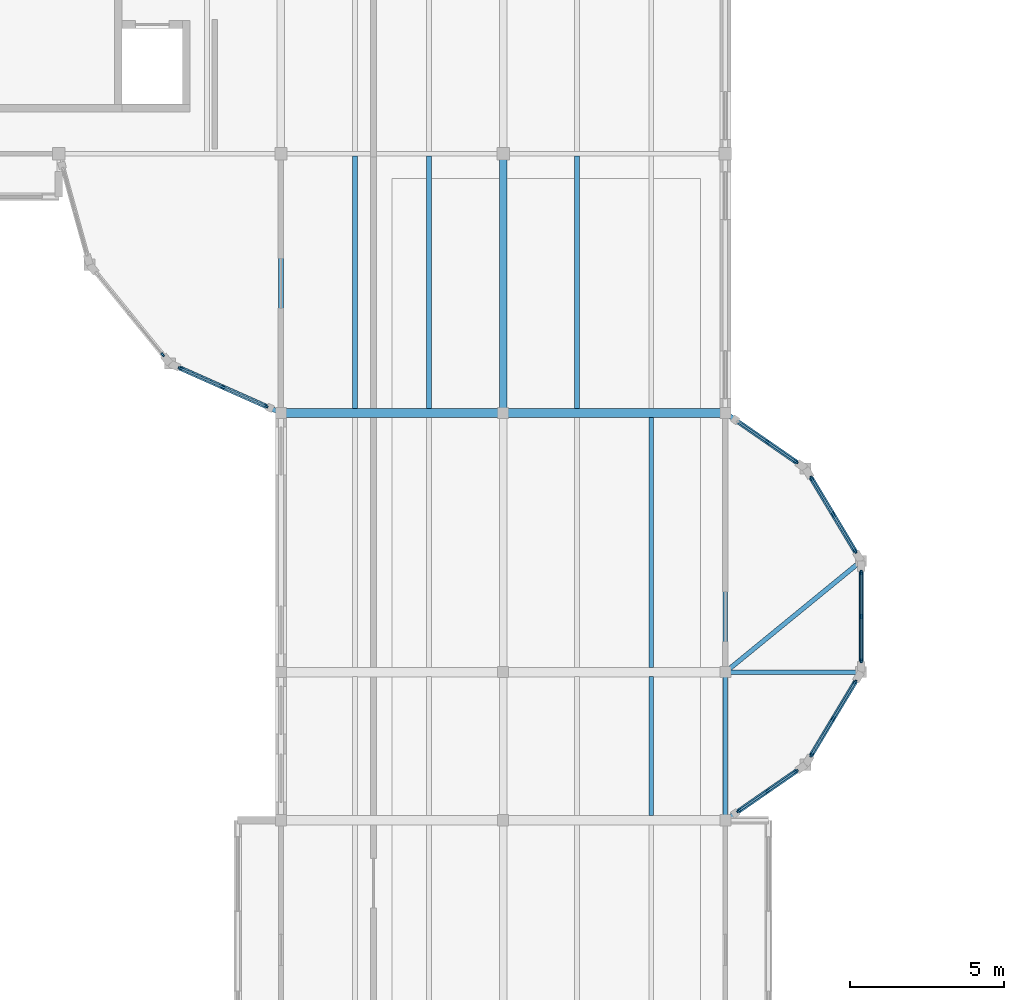
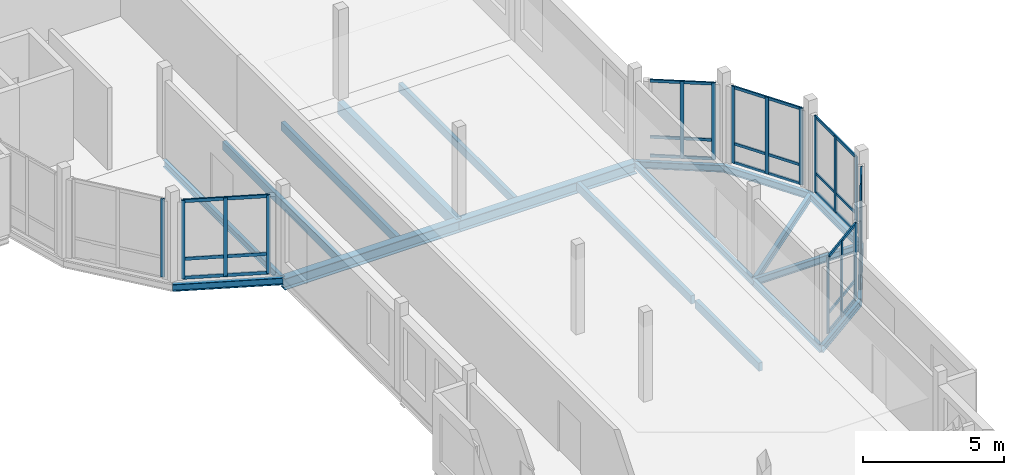
# One storey, part 17 of 34: 36 members, 19 beams, 7 elements without a shape of their own.
"""IFC4 building model written with IfcOpenShell, lengths in metres."""

import ifcopenshell
import ifcopenshell.guid

model = None  # the IFC model being written
_history = None  # IfcOwnerHistory: only IFC2X3 demands one
_inside = {}  # id of a spatial element -> (the spatial element, [elements in it])
_under = {}  # id of a project, library or spatial element -> (it, [spatial elements below it])
_declared = {}  # id of a project -> (the project, [libraries it declares])
_typed = {}  # id of a type object -> (the type object, [elements of that type])
_made_of = {}  # id of a material, layer set ... -> (it, [elements and type objects made of it])


def new_model(schema):
    """Start an empty IFC model of exactly this schema.

    Asked for "IFC4X3", IfcOpenShell would pick the latest addendum, in which some entities
    have other attributes; the version numbers below select the first issue.
    IFC2X3 requires an IfcOwnerHistory on every rooted entity: one is made here for all.
    """
    global model, _history
    if schema == "IFC4X3":
        model = ifcopenshell.file(schema_version=(4, 3, 0, 0))
    else:
        model = ifcopenshell.file(schema=schema)
    _inside.clear()
    _under.clear()
    _declared.clear()
    _typed.clear()
    _made_of.clear()
    _history = None
    if model.schema == "IFC2X3":
        org = make("IfcOrganization", Name="unknown")
        user = make(
            "IfcPersonAndOrganization",
            ThePerson=make("IfcPerson", FamilyName="unknown"),
            TheOrganization=org,
        )
        app = make(
            "IfcApplication",
            ApplicationDeveloper=org,
            Version="unknown",
            ApplicationFullName="unknown",
            ApplicationIdentifier="unknown",
        )
        _history = make(
            "IfcOwnerHistory",
            OwningUser=user,
            OwningApplication=app,
            ChangeAction="ADDED",
            CreationDate=0,
        )
    return model


def make(cls, **values):
    """One entity of the class cls with the attributes given. An attribute that is None is left unset."""
    return model.create_entity(
        cls, **{name: value for name, value in values.items() if value is not None}
    )


def rooted(cls, **values):
    """An entity with a GlobalId (a new one), such as an element, a storey or a relation."""
    return make(cls, GlobalId=ifcopenshell.guid.new(), OwnerHistory=_history, **values)


def si_unit(unit_type, name, prefix=None):
    """IfcSIUnit, for example si_unit("LENGTHUNIT", "METRE", prefix="MILLI")."""
    return make("IfcSIUnit", UnitType=unit_type, Prefix=prefix, Name=name)


def assignment(units):
    """IfcUnitAssignment: the units of a project."""
    return None if units is None else make("IfcUnitAssignment", Units=units)


def point(xyz):
    """IfcCartesianPoint."""
    return None if xyz is None else make("IfcCartesianPoint", Coordinates=xyz)


def direction(xyz):
    """IfcDirection."""
    return None if xyz is None else make("IfcDirection", DirectionRatios=xyz)


def frame(location, z_axis=None, x_axis=None):
    """IfcAxis2Placement3D, a coordinate frame: its origin and axes. An axis left out is left unset."""
    return make(
        "IfcAxis2Placement3D",
        Location=point(location),
        Axis=direction(z_axis),
        RefDirection=direction(x_axis),
    )


def frame_2d(location, x_axis=None):
    """IfcAxis2Placement2D, a coordinate frame in the plane: its origin and x axis."""
    return make(
        "IfcAxis2Placement2D", Location=point(location), RefDirection=direction(x_axis)
    )


def origin():
    """The frame at (0, 0, 0) with its axes left unset."""
    return frame((0.0, 0.0, 0.0))


def origin_2d():
    """The frame at (0, 0) in the plane with its x axis left unset."""
    return frame_2d((0.0, 0.0))


def place(relative_to, where):
    """IfcLocalPlacement: puts the frame where relative to a parent placement (None: the world)."""
    return make(
        "IfcLocalPlacement", PlacementRelTo=relative_to, RelativePlacement=where
    )


def context(
    kind, dimensions, precision=None, world=None, true_north=None, identifier=None
):
    """IfcGeometricRepresentationContext, for example the 3D "Model" context."""
    return make(
        "IfcGeometricRepresentationContext",
        ContextIdentifier=identifier,
        ContextType=kind,
        CoordinateSpaceDimension=dimensions,
        Precision=precision,
        WorldCoordinateSystem=world,
        TrueNorth=true_north,
    )


def subcontext(parent, identifier, kind, view, scale=None):
    """IfcGeometricRepresentationSubContext, for example "Body" below "Model"."""
    return make(
        "IfcGeometricRepresentationSubContext",
        ContextIdentifier=identifier,
        ContextType=kind,
        ParentContext=parent,
        TargetScale=scale,
        TargetView=view,
    )


def project(units=None, contexts=None):
    """IfcProject with its units and contexts."""
    return rooted(
        "IfcProject",
        Name="project",
        RepresentationContexts=contexts,
        UnitsInContext=assignment(units),
    )


def spatial(cls, under=None, at=None, **own):
    """A site, building, storey or space (cls), placed at a placement, below another one or the project."""
    s = rooted(cls, ObjectPlacement=at, **own)
    if under is not None:
        _under.setdefault(under.id(), (under, []))[1].append(s)
    return s


def profile(cls, at=None, kind="AREA", **sizes):
    """A parametric profile (cls). Its sizes go by their IFC names, for example OverallWidth=200.0."""
    return make(cls, ProfileType=kind, Position=at, **sizes)


def rectangle(**sizes):
    """IfcRectangleProfileDef."""
    return profile("IfcRectangleProfileDef", **sizes)


def i_section(**sizes):
    """IfcIShapeProfileDef."""
    return profile("IfcIShapeProfileDef", **sizes)


def extrude(swept, where, along, depth):
    """IfcExtrudedAreaSolid: the profile swept, set in the frame where, extruded along a direction by depth."""
    return make(
        "IfcExtrudedAreaSolid",
        SweptArea=swept,
        Position=where,
        ExtrudedDirection=direction(along),
        Depth=depth,
    )


def shape(context_of_items, identifier, shape_type, items):
    """IfcShapeRepresentation: the items that make up one representation, for example the "Body"."""
    return make(
        "IfcShapeRepresentation",
        ContextOfItems=context_of_items,
        RepresentationIdentifier=identifier,
        RepresentationType=shape_type,
        Items=items,
    )


def material(Name=None, Category=None):
    """IfcMaterial."""
    return make("IfcMaterial", Name=Name, Category=Category)


def material_profile(
    of_material, cross_section, Name=None, Category=None, Priority=None
):
    """IfcMaterialProfile: a cross section and its material."""
    return make(
        "IfcMaterialProfile",
        Name=Name,
        Material=of_material,
        Profile=cross_section,
        Priority=Priority,
        Category=Category,
    )


def profile_set(profiles, Name=None, composite=None):
    """IfcMaterialProfileSet."""
    return make(
        "IfcMaterialProfileSet",
        Name=Name,
        MaterialProfiles=profiles,
        CompositeProfile=composite,
    )


def made_of(thing, what):
    """Note that an element or type object is made of a material, layer set ...; save() writes the relation."""
    if what is not None:
        _made_of.setdefault(what.id(), (what, []))[1].append(thing)
    return thing


def type_object(cls, material=None, **own):
    """A type object (cls), such as IfcWallType, which elements share."""
    return made_of(rooted(cls, **own), material)


def element(
    cls,
    number,
    at=None,
    inside=None,
    cuts=None,
    type_object=None,
    material=None,
    context=None,
    identifier="Body",
    shape_type=None,
    held_by="IfcProductDefinitionShape",
    body=None,
    shapes=None,
    **own,
):
    """One element of the class cls, such as IfcWall. Its Tag is "e" and its number.

    at: its placement. inside: the storey or other place that contains it. cuts: it is an
    opening in that element (IfcRelVoidsElement). A single representation is given by context,
    identifier, shape_type and body (its items); several are given by shapes. held_by: the class
    of the entity that holds the representations. save() writes the other relations.
    """
    e = rooted(cls, Tag="e%d" % number, ObjectPlacement=at, **own)
    if body is not None:
        shapes = [shape(context, identifier, shape_type, body)]
    if shapes is not None:
        e.Representation = make(held_by, Representations=shapes)
    if inside is not None:
        _inside.setdefault(inside.id(), (inside, []))[1].append(e)
    if cuts is not None:
        rooted(
            "IfcRelVoidsElement", RelatingBuildingElement=cuts, RelatedOpeningElement=e
        )
    if type_object is not None:
        _typed.setdefault(type_object.id(), (type_object, []))[1].append(e)
    return made_of(e, material)


def aggregate(whole, parts):
    """IfcRelAggregates: a whole, such as a stair, and the parts it consists of."""
    return rooted("IfcRelAggregates", RelatingObject=whole, RelatedObjects=parts)


def save(model, path):
    """Write the relations noted so far, then the file.

    IfcRelAggregates (storeys below a building ...), IfcRelContainedInSpatialStructure (elements
    in a storey), IfcRelDefinesByType, IfcRelAssociatesMaterial and IfcRelDeclares: one each for
    every whole, place, type object, material and project.
    """
    for whole, parts in _under.values():
        aggregate(whole, parts)
    for where, things in _inside.values():
        rooted(
            "IfcRelContainedInSpatialStructure",
            RelatedElements=things,
            RelatingStructure=where,
        )
    for kind, things in _typed.values():
        rooted("IfcRelDefinesByType", RelatedObjects=things, RelatingType=kind)
    for what, things in _made_of.values():
        rooted("IfcRelAssociatesMaterial", RelatedObjects=things, RelatingMaterial=what)
    for by, libraries in _declared.values():
        rooted("IfcRelDeclares", RelatingContext=by, RelatedDefinitions=libraries)
    model.write(path)


model = new_model("IFC4")

# Units and contexts
model_context = context("Model", 3, precision=1e-05, world=origin(), true_north=direction((0.0, 1.0)))
body_context = subcontext(model_context, "Body", "Model", "MODEL_VIEW")
ifc_project = project(units=[si_unit("LENGTHUNIT", "METRE"), si_unit("AREAUNIT", "SQUARE_METRE"), si_unit("VOLUMEUNIT", "CUBIC_METRE"), si_unit("PLANEANGLEUNIT", "RADIAN"), si_unit("MASSUNIT", "GRAM", prefix="KILO")], contexts=[model_context])

# Site, building, storey
site_placement = place(None, origin())
site = spatial("IfcSite", under=ifc_project, at=site_placement, CompositionType="ELEMENT")
building_placement = place(site_placement, origin())
building = spatial("IfcBuilding", under=site, at=building_placement, Name="Kahlenmark Community Centre", CompositionType="ELEMENT")
storey_placement = place(building_placement, frame((0.0, 0.0, 17.699951171875)))
storey = spatial("IfcBuildingStorey", under=building, at=storey_placement, Name="L04", CompositionType="ELEMENT", Elevation=17.699951171875)

# Beams
ifc_material_1 = material(Name="Glulam GL32h", Category="wood")
ifc_material_profile_1 = material_profile(ifc_material_1, rectangle(XDim=0.239990234375, YDim=0.52001953125, at=origin_2d()), Name="GL32h 240x520")
ifc_profile_set_1 = profile_set([ifc_material_profile_1], Name="Glulam GL32h")
beam_type_1 = type_object("IfcBeamType", Name="BT-BEAM-GL32h240x520", PredefinedType="BEAM", material=ifc_profile_set_1)
beam_1_placement = place(storey_placement, frame((79.60009765625, 89.199951171875, -0.4599609375), z_axis=(0.0, 1.0, 0.0), x_axis=(-1.0, 0.0, 0.0)))
element("IfcBeam", 1, at=beam_1_placement, inside=storey, type_object=beam_type_1, Name="L04 beam BG-GL32h240x520", PredefinedType="BEAM", context=body_context, shape_type="SweptSolid", body=[
    extrude(rectangle(XDim=0.239990234375, YDim=0.52001953125, at=origin_2d()), origin(), (0.0, 0.0, 1.0), 8.400146484375),
])
ifc_material_2 = material(Name="Steel S355", Category="steel")
ifc_material_profile_2 = material_profile(ifc_material_2, i_section(OverallWidth=0.300048828125, OverallDepth=0.489990234375, WebThickness=0.011962890625, FlangeThickness=0.02294921875, at=origin_2d()), Name="HEA 500")
ifc_profile_set_2 = profile_set([ifc_material_profile_2], Name="Steel S355")
beam_type_2 = type_object("IfcBeamType", Name="BT-BEAM-HEA500", PredefinedType="BEAM", material=ifc_profile_set_2)
beam_2_placement = place(storey_placement, frame((72.39990234375, 89.199951171875, -0.445068359375), z_axis=(1.0, 0.0, 0.0), x_axis=(0.0, 1.0, 0.0)))
element("IfcBeam", 2, at=beam_2_placement, inside=storey, type_object=beam_type_2, Name="L04 beam BG-HEA500", PredefinedType="BEAM", context=body_context, shape_type="SweptSolid", body=[
    extrude(i_section(OverallWidth=0.300048828125, OverallDepth=0.489990234375, WebThickness=0.011962890625, FlangeThickness=0.02294921875, at=origin_2d()), origin(), (0.0, 0.0, 1.0), 7.2001953125),
])
beam_3_placement = place(storey_placement, frame((79.60009765625, 89.199951171875, -0.445068359375), z_axis=(1.0, 0.0, 0.0), x_axis=(0.0, 1.0, 0.0)))
element("IfcBeam", 3, at=beam_3_placement, inside=storey, type_object=beam_type_2, Name="L04 beam BG-HEA500", PredefinedType="BEAM", context=body_context, shape_type="SweptSolid", body=[
    extrude(i_section(OverallWidth=0.300048828125, OverallDepth=0.489990234375, WebThickness=0.011962890625, FlangeThickness=0.02294921875, at=origin_2d()), origin(), (0.0, 0.0, 1.0), 7.199951171875),
])
ifc_material_profile_3 = material_profile(ifc_material_2, i_section(OverallWidth=0.14990234375, OverallDepth=0.300048828125, WebThickness=0.007080078125, FlangeThickness=0.0107421875, at=origin_2d()), Name="IPE 300")
ifc_profile_set_3 = profile_set([ifc_material_profile_3], Name="Steel S355")
beam_type_3 = type_object("IfcBeamType", Name="BT-BEAM-IPE300", PredefinedType="BEAM", material=ifc_profile_set_3)
beam_4_placement = place(storey_placement, frame((91.199951171875, 80.800048828125, -0.349853515625), z_axis=(-1.0, 0.0, 0.0), x_axis=(0.0, -1.0, 0.0)))
element("IfcBeam", 4, at=beam_4_placement, inside=storey, type_object=beam_type_3, Name="L04 beam BG-IPE300", PredefinedType="BEAM", context=body_context, shape_type="SweptSolid", body=[
    extrude(i_section(OverallWidth=0.14990234375, OverallDepth=0.300048828125, WebThickness=0.007080078125, FlangeThickness=0.0107421875, at=origin_2d()), origin(), (0.0, 0.0, 1.0), 4.39990234375),
])
beam_5_placement = place(storey_placement, frame((91.199951171875, 84.39990234375, -0.349853515625), z_axis=(-0.773963039406, -0.633230774389, 0.0), x_axis=(0.633230774389, -0.773963039406, 0.0)))
element("IfcBeam", 5, at=beam_5_placement, inside=storey, type_object=beam_type_3, Name="L04 beam BG-IPE300", PredefinedType="BEAM", context=body_context, shape_type="SweptSolid", body=[
    extrude(i_section(OverallWidth=0.14990234375, OverallDepth=0.300048828125, WebThickness=0.007080078125, FlangeThickness=0.0107421875, at=origin_2d()), origin(), (0.0, 0.0, 1.0), 5.684814453125),
])
ifc_material_3 = material(Name="Glulam GL28h", Category="wood")
ifc_material_profile_4 = material_profile(ifc_material_3, rectangle(XDim=0.159912109375, YDim=0.360107421875, at=origin_2d()), Name="GL28h 160x360")
ifc_profile_set_4 = profile_set([ifc_material_profile_4], Name="Glulam GL28h")
beam_type_4 = type_object("IfcBeamType", Name="BT-JOIST-GL28h160x360", PredefinedType="JOIST", material=ifc_profile_set_4)
for number, where, z_axis, x_axis, name in (
    (6, (74.800048828125, 89.347900390625, -0.3798828125), (0.0, 1.0, 0.0), (-1.0, 0.0, 0.0), "L04 joist BJ-GL28h160x360"),
    (7, (77.199951171875, 89.347900390625, -0.3798828125), (0.0, 1.0, 0.0), (-1.0, 0.0, 0.0), "L04 joist BJ-GL28h160x360"),
):
    element("IfcBeam", number, at=place(storey_placement, frame(where, z_axis=z_axis, x_axis=x_axis)), inside=storey, type_object=beam_type_4, Name=name, PredefinedType="JOIST", context=body_context, shape_type="SweptSolid", body=[
        extrude(rectangle(XDim=0.159912109375, YDim=0.360107421875, at=origin_2d()), origin(), (0.0, 0.0, 1.0), 8.17919921875),
    ])
beam_6_placement = place(storey_placement, frame((84.39990234375, 76.14794921875, -0.3798828125), z_axis=(0.0, 1.0, 0.0), x_axis=(-1.0, 0.0, 0.0)))
element("IfcBeam", 8, at=beam_6_placement, inside=storey, type_object=beam_type_4, Name="L04 joist BJ-GL28h160x360", PredefinedType="JOIST", context=body_context, shape_type="SweptSolid", body=[
    extrude(rectangle(XDim=0.159912109375, YDim=0.360107421875, at=origin_2d()), origin(), (0.0, 0.0, 1.0), 4.504150390625),
])
beam_7_placement = place(storey_placement, frame((84.39990234375, 80.947998046875, -0.3798828125), z_axis=(0.0, 1.0, 0.0), x_axis=(-1.0, 0.0, 0.0)))
element("IfcBeam", 9, at=beam_7_placement, inside=storey, type_object=beam_type_4, Name="L04 joist BJ-GL28h160x360", PredefinedType="JOIST", context=body_context, shape_type="SweptSolid", body=[
    extrude(rectangle(XDim=0.159912109375, YDim=0.360107421875, at=origin_2d()), origin(), (0.0, 0.0, 1.0), 8.10400390625),
])
beam_8_placement = place(storey_placement, frame((82.0, 89.347900390625, -0.3798828125), z_axis=(0.0, 1.0, 0.0), x_axis=(-1.0, 0.0, 0.0)))
element("IfcBeam", 10, at=beam_8_placement, inside=storey, type_object=beam_type_4, Name="L04 joist BJ-GL28h160x360", PredefinedType="JOIST", context=body_context, shape_type="SweptSolid", body=[
    extrude(rectangle(XDim=0.159912109375, YDim=0.360107421875, at=origin_2d()), origin(), (0.0, 0.0, 1.0), 8.17919921875),
])
ifc_material_profile_5 = material_profile(ifc_material_2, i_section(OverallWidth=0.14990234375, OverallDepth=0.300048828125, WebThickness=0.007080078125, FlangeThickness=0.0107421875, at=origin_2d()), Name="IPE 300")
ifc_profile_set_5 = profile_set([ifc_material_profile_5], Name="Steel S355")
beam_type_5 = type_object("IfcBeamType", Name="BT-SPANDREL-IPE300", PredefinedType="SPANDREL", material=ifc_profile_set_5)
beam_9_placement = place(storey_placement, frame((72.39990234375, 89.199951171875, -0.349853515625), z_axis=(0.0, 1.0, 0.0), x_axis=(-1.0, 0.0, 0.0)))
element("IfcBeam", 11, at=beam_9_placement, inside=storey, type_object=beam_type_5, Name="L04 spandrel SP-IPE300", PredefinedType="SPANDREL", context=body_context, shape_type="SweptSolid", body=[
    extrude(i_section(OverallWidth=0.14990234375, OverallDepth=0.300048828125, WebThickness=0.007080078125, FlangeThickness=0.0107421875, at=origin_2d()), origin(), (0.0, 0.0, 1.0), 8.400146484375),
])
beam_10_placement = place(storey_placement, frame((86.800048828125, 76.0, -0.349853515625), z_axis=(0.0, 1.0, 0.0), x_axis=(-1.0, 0.0, 0.0)))
element("IfcBeam", 12, at=beam_10_placement, inside=storey, type_object=beam_type_5, Name="L04 spandrel SP-IPE300", PredefinedType="SPANDREL", context=body_context, shape_type="SweptSolid", body=[
    extrude(i_section(OverallWidth=0.14990234375, OverallDepth=0.300048828125, WebThickness=0.007080078125, FlangeThickness=0.0107421875, at=origin_2d()), origin(), (0.0, 0.0, 1.0), 4.800048828125),
])
beam_11_placement = place(storey_placement, frame((86.800048828125, 80.800048828125, -0.349853515625), z_axis=(0.0, 1.0, 0.0), x_axis=(-1.0, 0.0, 0.0)))
element("IfcBeam", 13, at=beam_11_placement, inside=storey, type_object=beam_type_5, Name="L04 spandrel SP-IPE300", PredefinedType="SPANDREL", context=body_context, shape_type="SweptSolid", body=[
    extrude(i_section(OverallWidth=0.14990234375, OverallDepth=0.300048828125, WebThickness=0.007080078125, FlangeThickness=0.0107421875, at=origin_2d()), origin(), (0.0, 0.0, 1.0), 8.39990234375),
])
beam_12_placement = place(storey_placement, frame((86.800048828125, 76.0, -0.349853515625), z_axis=(0.8221699556, 0.569242096219, 0.0), x_axis=(-0.569242096219, 0.8221699556, 0.0)))
element("IfcBeam", 14, at=beam_12_placement, inside=storey, type_object=beam_type_5, Name="L04 spandrel SP-IPE300", PredefinedType="SPANDREL", context=body_context, shape_type="SweptSolid", body=[
    extrude(i_section(OverallWidth=0.14990234375, OverallDepth=0.300048828125, WebThickness=0.007080078125, FlangeThickness=0.0107421875, at=origin_2d()), origin(), (0.0, 0.0, 1.0), 3.162109375),
])
beam_13_placement = place(storey_placement, frame((89.39990234375, 77.800048828125, -0.349853515625), z_axis=(0.514506017516, 0.857486768376, 0.0), x_axis=(-0.857486768376, 0.514506017516, 0.0)))
element("IfcBeam", 15, at=beam_13_placement, inside=storey, type_object=beam_type_5, Name="L04 spandrel SP-IPE300", PredefinedType="SPANDREL", context=body_context, shape_type="SweptSolid", body=[
    extrude(i_section(OverallWidth=0.14990234375, OverallDepth=0.300048828125, WebThickness=0.007080078125, FlangeThickness=0.0107421875, at=origin_2d()), origin(), (0.0, 0.0, 1.0), 3.49853515625),
])
beam_14_placement = place(storey_placement, frame((91.199951171875, 80.800048828125, -0.349853515625), z_axis=(0.0, 1.0, 0.0), x_axis=(-1.0, 0.0, 0.0)))
element("IfcBeam", 16, at=beam_14_placement, inside=storey, type_object=beam_type_5, Name="L04 spandrel SP-IPE300", PredefinedType="SPANDREL", context=body_context, shape_type="SweptSolid", body=[
    extrude(i_section(OverallWidth=0.14990234375, OverallDepth=0.300048828125, WebThickness=0.007080078125, FlangeThickness=0.0107421875, at=origin_2d()), origin(), (0.0, 0.0, 1.0), 3.599853515625),
])
beam_15_placement = place(storey_placement, frame((91.199951171875, 84.39990234375, -0.349853515625), z_axis=(-0.514506017516, 0.857486768376, 0.0), x_axis=(-0.857486768376, -0.514506017516, 0.0)))
element("IfcBeam", 17, at=beam_15_placement, inside=storey, type_object=beam_type_5, Name="L04 spandrel SP-IPE300", PredefinedType="SPANDREL", context=body_context, shape_type="SweptSolid", body=[
    extrude(i_section(OverallWidth=0.14990234375, OverallDepth=0.300048828125, WebThickness=0.007080078125, FlangeThickness=0.0107421875, at=origin_2d()), origin(), (0.0, 0.0, 1.0), 3.49853515625),
])
beam_16_placement = place(storey_placement, frame((89.39990234375, 87.39990234375, -0.349853515625), z_axis=(-0.8221699556, 0.569242096219, 0.0), x_axis=(-0.569242096219, -0.8221699556, 0.0)))
element("IfcBeam", 18, at=beam_16_placement, inside=storey, type_object=beam_type_5, Name="L04 spandrel SP-IPE300", PredefinedType="SPANDREL", context=body_context, shape_type="SweptSolid", body=[
    extrude(i_section(OverallWidth=0.14990234375, OverallDepth=0.300048828125, WebThickness=0.007080078125, FlangeThickness=0.0107421875, at=origin_2d()), origin(), (0.0, 0.0, 1.0), 3.162109375),
])
beam_17_placement = place(storey_placement, frame((68.800048828125, 90.800048828125, -0.349853515625), z_axis=(0.913796214371, -0.40617296636, 0.0), x_axis=(0.40617296636, 0.913796214371, 0.0)))
element("IfcBeam", 19, at=beam_17_placement, inside=storey, type_object=beam_type_5, Name="L04 spandrel SP-IPE300", PredefinedType="SPANDREL", context=body_context, shape_type="SweptSolid", body=[
    extrude(i_section(OverallWidth=0.14990234375, OverallDepth=0.300048828125, WebThickness=0.007080078125, FlangeThickness=0.0107421875, at=origin_2d()), origin(), (0.0, 0.0, 1.0), 3.939453125),
])

# Curtain wall, members
ifc_material_4 = material(Name="Anodised aluminium unitised curtain wall", Category="aluminium")
curtain_wall_type_1 = type_object("IfcCurtainWallType", Name="CWT-UNIT-232X332", PredefinedType="USERDEFINED", material=ifc_material_4)
curtain_wall_1_placement = place(storey_placement, origin())
curtain_wall_1 = element("IfcCurtainWall", 20, at=curtain_wall_1_placement, inside=storey, type_object=curtain_wall_type_1, Name="Unitised curtain wall CW-166", ObjectType="UNITISED CURTAIN WALL", PredefinedType="USERDEFINED")
ifc_material_5 = material(Name="Anodised aluminium 6063-T6", Category="aluminium")
ifc_material_profile_6 = material_profile(ifc_material_5, rectangle(XDim=0.06005859375, YDim=0.139892578125, at=origin_2d()), Name="ALU MULLION 60x140")
ifc_profile_set_6 = profile_set([ifc_material_profile_6], Name="Anodised aluminium 6063-T6")
member_type_1 = type_object("IfcMemberType", Name="MT-MUL-140", PredefinedType="MULLION", material=ifc_profile_set_6)
member_1_placement = place(storey_placement, frame((87.23583984375, 76.3017578125, 0.0), z_axis=(0.0, 0.0, 1.0), x_axis=(-0.56921208065, 0.822190736534, 0.0)))
member_1 = element("IfcMember", 21, at=member_1_placement, type_object=member_type_1, Name="CW-166 mullion 1", PredefinedType="MULLION", context=body_context, shape_type="SweptSolid", body=[
    extrude(rectangle(XDim=0.06005859375, YDim=0.139892578125, at=origin_2d()), origin(), (0.0, 0.0, 1.0), 3.320068359375),
])
member_2_placement = place(storey_placement, frame((88.165771484375, 76.945556640625, 0.0), z_axis=(0.0, 0.0, 1.0), x_axis=(-0.56921208065, 0.822190736534, 0.0)))
member_2 = element("IfcMember", 22, at=member_2_placement, type_object=member_type_1, Name="CW-166 mullion 2", PredefinedType="MULLION", context=body_context, shape_type="SweptSolid", body=[
    extrude(rectangle(XDim=0.06005859375, YDim=0.139892578125, at=origin_2d()), origin(), (0.0, 0.0, 1.0), 3.320068359375),
])
member_3_placement = place(storey_placement, frame((89.095703125, 77.58935546875, 0.0), z_axis=(0.0, 0.0, 1.0), x_axis=(-0.56921208065, 0.822190736534, 0.0)))
member_3 = element("IfcMember", 23, at=member_3_placement, type_object=member_type_1, Name="CW-166 mullion 3", PredefinedType="MULLION", context=body_context, shape_type="SweptSolid", body=[
    extrude(rectangle(XDim=0.06005859375, YDim=0.139892578125, at=origin_2d()), origin(), (0.0, 0.0, 1.0), 3.320068359375),
])

curtain_wall_type_2 = type_object("IfcCurtainWallType", Name="CWT-UNIT-282X332", PredefinedType="USERDEFINED", material=ifc_material_4)
curtain_wall_2_placement = place(storey_placement, origin())
curtain_wall_2 = element("IfcCurtainWall", 24, at=curtain_wall_2_placement, inside=storey, type_object=curtain_wall_type_2, Name="Unitised curtain wall CW-167", ObjectType="UNITISED CURTAIN WALL", PredefinedType="USERDEFINED")
member_4_placement = place(storey_placement, frame((89.59033203125, 78.1171875, 0.0), z_axis=(0.0, 0.0, 1.0), x_axis=(-0.857492535386, 0.514496405972, 0.0)))
member_4 = element("IfcMember", 25, at=member_4_placement, type_object=member_type_1, Name="CW-167 mullion 1", PredefinedType="MULLION", context=body_context, shape_type="SweptSolid", body=[
    extrude(rectangle(XDim=0.06005859375, YDim=0.139892578125, at=origin_2d()), origin(), (0.0, 0.0, 1.0), 3.320068359375),
])
member_5_placement = place(storey_placement, frame((90.300048828125, 79.300048828125, 0.0), z_axis=(0.0, 0.0, 1.0), x_axis=(-0.857492535386, 0.514496405972, 0.0)))
member_5 = element("IfcMember", 26, at=member_5_placement, type_object=member_type_1, Name="CW-167 mullion 2", PredefinedType="MULLION", context=body_context, shape_type="SweptSolid", body=[
    extrude(rectangle(XDim=0.06005859375, YDim=0.139892578125, at=origin_2d()), origin(), (0.0, 0.0, 1.0), 3.320068359375),
])
member_6_placement = place(storey_placement, frame((91.009765625, 80.48291015625, 0.0), z_axis=(0.0, 0.0, 1.0), x_axis=(-0.857492535386, 0.514496405972, 0.0)))
member_6 = element("IfcMember", 27, at=member_6_placement, type_object=member_type_1, Name="CW-167 mullion 3", PredefinedType="MULLION", context=body_context, shape_type="SweptSolid", body=[
    extrude(rectangle(XDim=0.06005859375, YDim=0.139892578125, at=origin_2d()), origin(), (0.0, 0.0, 1.0), 3.320068359375),
])

curtain_wall_type_3 = type_object("IfcCurtainWallType", Name="CWT-UNIT-292X332", PredefinedType="USERDEFINED", material=ifc_material_4)
curtain_wall_3_placement = place(storey_placement, origin())
curtain_wall_3 = element("IfcCurtainWall", 28, at=curtain_wall_3_placement, inside=storey, type_object=curtain_wall_type_3, Name="Unitised curtain wall CW-168", ObjectType="UNITISED CURTAIN WALL", PredefinedType="USERDEFINED")
member_7_placement = place(storey_placement, frame((91.199951171875, 81.169921875, 0.0), z_axis=(0.0, 0.0, 1.0), x_axis=(-1.0, 0.0, 0.0)))
member_7 = element("IfcMember", 29, at=member_7_placement, type_object=member_type_1, Name="CW-168 mullion 1", PredefinedType="MULLION", context=body_context, shape_type="SweptSolid", body=[
    extrude(rectangle(XDim=0.06005859375, YDim=0.139892578125, at=origin_2d()), origin(), (0.0, 0.0, 1.0), 3.320068359375),
])
member_8_placement = place(storey_placement, frame((91.199951171875, 82.60009765625, 0.0), z_axis=(0.0, 0.0, 1.0), x_axis=(-1.0, 0.0, 0.0)))
member_8 = element("IfcMember", 30, at=member_8_placement, type_object=member_type_1, Name="CW-168 mullion 2", PredefinedType="MULLION", context=body_context, shape_type="SweptSolid", body=[
    extrude(rectangle(XDim=0.06005859375, YDim=0.139892578125, at=origin_2d()), origin(), (0.0, 0.0, 1.0), 3.320068359375),
])
member_9_placement = place(storey_placement, frame((91.199951171875, 84.030029296875, 0.0), z_axis=(0.0, 0.0, 1.0), x_axis=(-1.0, 0.0, 0.0)))
member_9 = element("IfcMember", 31, at=member_9_placement, type_object=member_type_1, Name="CW-168 mullion 3", PredefinedType="MULLION", context=body_context, shape_type="SweptSolid", body=[
    extrude(rectangle(XDim=0.06005859375, YDim=0.139892578125, at=origin_2d()), origin(), (0.0, 0.0, 1.0), 3.320068359375),
])

curtain_wall_4_placement = place(storey_placement, origin())
curtain_wall_4 = element("IfcCurtainWall", 32, at=curtain_wall_4_placement, inside=storey, type_object=curtain_wall_type_2, Name="Unitised curtain wall CW-169", ObjectType="UNITISED CURTAIN WALL", PredefinedType="USERDEFINED")
member_10_placement = place(storey_placement, frame((91.009765625, 84.71728515625, 0.0), z_axis=(0.0, 0.0, 1.0), x_axis=(-0.857492535386, -0.514496405972, 0.0)))
member_10 = element("IfcMember", 33, at=member_10_placement, type_object=member_type_1, Name="CW-169 mullion 1", PredefinedType="MULLION", context=body_context, shape_type="SweptSolid", body=[
    extrude(rectangle(XDim=0.06005859375, YDim=0.139892578125, at=origin_2d()), origin(), (0.0, 0.0, 1.0), 3.320068359375),
])
member_11_placement = place(storey_placement, frame((90.300048828125, 85.89990234375, 0.0), z_axis=(0.0, 0.0, 1.0), x_axis=(-0.857492535386, -0.514496405972, 0.0)))
member_11 = element("IfcMember", 34, at=member_11_placement, type_object=member_type_1, Name="CW-169 mullion 2", PredefinedType="MULLION", context=body_context, shape_type="SweptSolid", body=[
    extrude(rectangle(XDim=0.06005859375, YDim=0.139892578125, at=origin_2d()), origin(), (0.0, 0.0, 1.0), 3.320068359375),
])
member_12_placement = place(storey_placement, frame((89.59033203125, 87.082763671875, 0.0), z_axis=(0.0, 0.0, 1.0), x_axis=(-0.857492535386, -0.514496405972, 0.0)))
member_12 = element("IfcMember", 35, at=member_12_placement, type_object=member_type_1, Name="CW-169 mullion 3", PredefinedType="MULLION", context=body_context, shape_type="SweptSolid", body=[
    extrude(rectangle(XDim=0.06005859375, YDim=0.139892578125, at=origin_2d()), origin(), (0.0, 0.0, 1.0), 3.320068359375),
])

curtain_wall_5_placement = place(storey_placement, origin())
curtain_wall_5 = element("IfcCurtainWall", 36, at=curtain_wall_5_placement, inside=storey, type_object=curtain_wall_type_1, Name="Unitised curtain wall CW-170", ObjectType="UNITISED CURTAIN WALL", PredefinedType="USERDEFINED")
member_13_placement = place(storey_placement, frame((89.095703125, 87.610595703125, 0.0), z_axis=(0.0, 0.0, 1.0), x_axis=(-0.56921208065, -0.822190736534, 0.0)))
member_13 = element("IfcMember", 37, at=member_13_placement, type_object=member_type_1, Name="CW-170 mullion 1", PredefinedType="MULLION", context=body_context, shape_type="SweptSolid", body=[
    extrude(rectangle(XDim=0.06005859375, YDim=0.139892578125, at=origin_2d()), origin(), (0.0, 0.0, 1.0), 3.320068359375),
])
member_14_placement = place(storey_placement, frame((88.165771484375, 88.25439453125, 0.0), z_axis=(0.0, 0.0, 1.0), x_axis=(-0.56921208065, -0.822190736534, 0.0)))
member_14 = element("IfcMember", 38, at=member_14_placement, type_object=member_type_1, Name="CW-170 mullion 2", PredefinedType="MULLION", context=body_context, shape_type="SweptSolid", body=[
    extrude(rectangle(XDim=0.06005859375, YDim=0.139892578125, at=origin_2d()), origin(), (0.0, 0.0, 1.0), 3.320068359375),
])

# Curtain wall, member
curtain_wall_type_4 = type_object("IfcCurtainWallType", Name="CWT-UNIT-344X339", PredefinedType="USERDEFINED", material=ifc_material_4)
curtain_wall_6_placement = place(storey_placement, origin())
curtain_wall_6 = element("IfcCurtainWall", 39, at=curtain_wall_6_placement, inside=storey, type_object=curtain_wall_type_4, Name="Unitised curtain wall CW-186", ObjectType="UNITISED CURTAIN WALL", PredefinedType="USERDEFINED")
member_15_placement = place(storey_placement, frame((68.566650390625, 91.087158203125, 0.0), z_axis=(0.0, 0.0, 1.0), x_axis=(0.776109145231, 0.63059860029, 0.0)))
member_15 = element("IfcMember", 40, at=member_15_placement, type_object=member_type_1, Name="CW-186 mullion 3", PredefinedType="MULLION", context=body_context, shape_type="SweptSolid", body=[
    extrude(rectangle(XDim=0.06005859375, YDim=0.139892578125, at=origin_2d()), origin(), (0.0, 0.0, 1.0), 3.39013671875),
])
aggregate(curtain_wall_6, [member_15])

# Curtain wall, members
curtain_wall_type_5 = type_object("IfcCurtainWallType", Name="CWT-UNIT-310X339", PredefinedType="USERDEFINED", material=ifc_material_4)
curtain_wall_7_placement = place(storey_placement, origin())
curtain_wall_7 = element("IfcCurtainWall", 41, at=curtain_wall_7_placement, inside=storey, type_object=curtain_wall_type_5, Name="Unitised curtain wall CW-187", ObjectType="UNITISED CURTAIN WALL", PredefinedType="USERDEFINED")
member_16_placement = place(storey_placement, frame((69.13818359375, 90.649658203125, 0.0), z_axis=(0.0, 0.0, 1.0), x_axis=(0.406125882643, 0.913817141143, 0.0)))
member_16 = element("IfcMember", 42, at=member_16_placement, type_object=member_type_1, Name="CW-187 mullion 1", PredefinedType="MULLION", context=body_context, shape_type="SweptSolid", body=[
    extrude(rectangle(XDim=0.06005859375, YDim=0.139892578125, at=origin_2d()), origin(), (0.0, 0.0, 1.0), 3.39013671875),
])
member_17_placement = place(storey_placement, frame((70.52685546875, 90.032470703125, 0.0), z_axis=(0.0, 0.0, 1.0), x_axis=(0.406125882643, 0.913817141143, 0.0)))
member_17 = element("IfcMember", 43, at=member_17_placement, type_object=member_type_1, Name="CW-187 mullion 2", PredefinedType="MULLION", context=body_context, shape_type="SweptSolid", body=[
    extrude(rectangle(XDim=0.06005859375, YDim=0.139892578125, at=origin_2d()), origin(), (0.0, 0.0, 1.0), 3.39013671875),
])
member_18_placement = place(storey_placement, frame((71.915771484375, 89.415283203125, 0.0), z_axis=(0.0, 0.0, 1.0), x_axis=(0.406125882643, 0.913817141143, 0.0)))
member_18 = element("IfcMember", 44, at=member_18_placement, type_object=member_type_1, Name="CW-187 mullion 3", PredefinedType="MULLION", context=body_context, shape_type="SweptSolid", body=[
    extrude(rectangle(XDim=0.06005859375, YDim=0.139892578125, at=origin_2d()), origin(), (0.0, 0.0, 1.0), 3.39013671875),
])

# Member
ifc_material_profile_7 = material_profile(ifc_material_5, rectangle(XDim=0.06005859375, YDim=0.1201171875, at=origin_2d()), Name="ALU TRANSOM 60x120")
ifc_profile_set_7 = profile_set([ifc_material_profile_7], Name="Anodised aluminium 6063-T6")
member_type_2 = type_object("IfcMemberType", Name="MT-TRN-120", PredefinedType="USERDEFINED", material=ifc_profile_set_7)
member_19_placement = place(storey_placement, frame((87.23583984375, 76.3017578125, 0.0400390625), z_axis=(0.822192191644, 0.56920997883, 0.0), x_axis=(-0.56920997883, 0.822192191644, 0.0)))
member_19 = element("IfcMember", 45, at=member_19_placement, type_object=member_type_2, Name="CW-166 transom 1", ObjectType="TRANSOM", PredefinedType="USERDEFINED", context=body_context, shape_type="SweptSolid", body=[
    extrude(rectangle(XDim=0.06005859375, YDim=0.1201171875, at=origin_2d()), origin(), (0.0, 0.0, 1.0), 2.261962890625),
])

member_20_placement = place(storey_placement, frame((87.23583984375, 76.3017578125, 0.85009765625), z_axis=(0.822192191644, 0.56920997883, 0.0), x_axis=(-0.56920997883, 0.822192191644, 0.0)))
member_20 = element("IfcMember", 46, at=member_20_placement, type_object=member_type_2, Name="CW-166 transom 2", ObjectType="TRANSOM", PredefinedType="USERDEFINED", context=body_context, shape_type="SweptSolid", body=[
    extrude(rectangle(XDim=0.06005859375, YDim=0.1201171875, at=origin_2d()), origin(), (0.0, 0.0, 1.0), 2.261962890625),
])

member_21_placement = place(storey_placement, frame((87.23583984375, 76.3017578125, 3.280029296875), z_axis=(0.822192191644, 0.56920997883, 0.0), x_axis=(-0.56920997883, 0.822192191644, 0.0)))
member_21 = element("IfcMember", 47, at=member_21_placement, type_object=member_type_2, Name="CW-166 transom 3", ObjectType="TRANSOM", PredefinedType="USERDEFINED", context=body_context, shape_type="SweptSolid", body=[
    extrude(rectangle(XDim=0.06005859375, YDim=0.1201171875, at=origin_2d()), origin(), (0.0, 0.0, 1.0), 2.261962890625),
])

aggregate(curtain_wall_1, [member_1, member_2, member_3, member_19, member_20, member_21])

member_22_placement = place(storey_placement, frame((89.59033203125, 78.1171875, 0.0400390625), z_axis=(0.514495755428, 0.857492925713, 0.0), x_axis=(-0.857492925713, 0.514495755428, 0.0)))
member_22 = element("IfcMember", 48, at=member_22_placement, type_object=member_type_2, Name="CW-167 transom 1", ObjectType="TRANSOM", PredefinedType="USERDEFINED", context=body_context, shape_type="SweptSolid", body=[
    extrude(rectangle(XDim=0.06005859375, YDim=0.1201171875, at=origin_2d()), origin(), (0.0, 0.0, 1.0), 2.7587890625),
])

member_23_placement = place(storey_placement, frame((89.59033203125, 78.1171875, 0.85009765625), z_axis=(0.514495755428, 0.857492925713, 0.0), x_axis=(-0.857492925713, 0.514495755428, 0.0)))
member_23 = element("IfcMember", 49, at=member_23_placement, type_object=member_type_2, Name="CW-167 transom 2", ObjectType="TRANSOM", PredefinedType="USERDEFINED", context=body_context, shape_type="SweptSolid", body=[
    extrude(rectangle(XDim=0.06005859375, YDim=0.1201171875, at=origin_2d()), origin(), (0.0, 0.0, 1.0), 2.7587890625),
])

member_24_placement = place(storey_placement, frame((89.59033203125, 78.1171875, 3.280029296875), z_axis=(0.514495755428, 0.857492925713, 0.0), x_axis=(-0.857492925713, 0.514495755428, 0.0)))
member_24 = element("IfcMember", 50, at=member_24_placement, type_object=member_type_2, Name="CW-167 transom 3", ObjectType="TRANSOM", PredefinedType="USERDEFINED", context=body_context, shape_type="SweptSolid", body=[
    extrude(rectangle(XDim=0.06005859375, YDim=0.1201171875, at=origin_2d()), origin(), (0.0, 0.0, 1.0), 2.7587890625),
])

aggregate(curtain_wall_2, [member_4, member_5, member_6, member_22, member_23, member_24])

member_25_placement = place(storey_placement, frame((91.199951171875, 81.169921875, 0.0400390625), z_axis=(0.0, 1.0, 0.0), x_axis=(-1.0, 0.0, 0.0)))
member_25 = element("IfcMember", 51, at=member_25_placement, type_object=member_type_2, Name="CW-168 transom 1", ObjectType="TRANSOM", PredefinedType="USERDEFINED", context=body_context, shape_type="SweptSolid", body=[
    extrude(rectangle(XDim=0.06005859375, YDim=0.1201171875, at=origin_2d()), origin(), (0.0, 0.0, 1.0), 2.860107421875),
])

member_26_placement = place(storey_placement, frame((91.199951171875, 81.169921875, 0.85009765625), z_axis=(0.0, 1.0, 0.0), x_axis=(-1.0, 0.0, 0.0)))
member_26 = element("IfcMember", 52, at=member_26_placement, type_object=member_type_2, Name="CW-168 transom 2", ObjectType="TRANSOM", PredefinedType="USERDEFINED", context=body_context, shape_type="SweptSolid", body=[
    extrude(rectangle(XDim=0.06005859375, YDim=0.1201171875, at=origin_2d()), origin(), (0.0, 0.0, 1.0), 2.860107421875),
])

member_27_placement = place(storey_placement, frame((91.199951171875, 81.169921875, 3.280029296875), z_axis=(0.0, 1.0, 0.0), x_axis=(-1.0, 0.0, 0.0)))
member_27 = element("IfcMember", 53, at=member_27_placement, type_object=member_type_2, Name="CW-168 transom 3", ObjectType="TRANSOM", PredefinedType="USERDEFINED", context=body_context, shape_type="SweptSolid", body=[
    extrude(rectangle(XDim=0.06005859375, YDim=0.1201171875, at=origin_2d()), origin(), (0.0, 0.0, 1.0), 2.860107421875),
])

aggregate(curtain_wall_3, [member_7, member_8, member_9, member_25, member_26, member_27])

member_28_placement = place(storey_placement, frame((91.009765625, 84.71728515625, 0.0400390625), z_axis=(-0.514534798693, 0.857469498544, 0.0), x_axis=(-0.857469498544, -0.514534798693, 0.0)))
member_28 = element("IfcMember", 54, at=member_28_placement, type_object=member_type_2, Name="CW-169 transom 1", ObjectType="TRANSOM", PredefinedType="USERDEFINED", context=body_context, shape_type="SweptSolid", body=[
    extrude(rectangle(XDim=0.06005859375, YDim=0.1201171875, at=origin_2d()), origin(), (0.0, 0.0, 1.0), 2.7587890625),
])

member_29_placement = place(storey_placement, frame((91.009765625, 84.71728515625, 0.85009765625), z_axis=(-0.514534798693, 0.857469498544, 0.0), x_axis=(-0.857469498544, -0.514534798693, 0.0)))
member_29 = element("IfcMember", 55, at=member_29_placement, type_object=member_type_2, Name="CW-169 transom 2", ObjectType="TRANSOM", PredefinedType="USERDEFINED", context=body_context, shape_type="SweptSolid", body=[
    extrude(rectangle(XDim=0.06005859375, YDim=0.1201171875, at=origin_2d()), origin(), (0.0, 0.0, 1.0), 2.7587890625),
])

member_30_placement = place(storey_placement, frame((91.009765625, 84.71728515625, 3.280029296875), z_axis=(-0.514534798693, 0.857469498544, 0.0), x_axis=(-0.857469498544, -0.514534798693, 0.0)))
member_30 = element("IfcMember", 56, at=member_30_placement, type_object=member_type_2, Name="CW-169 transom 3", ObjectType="TRANSOM", PredefinedType="USERDEFINED", context=body_context, shape_type="SweptSolid", body=[
    extrude(rectangle(XDim=0.06005859375, YDim=0.1201171875, at=origin_2d()), origin(), (0.0, 0.0, 1.0), 2.7587890625),
])

aggregate(curtain_wall_4, [member_10, member_11, member_12, member_28, member_29, member_30])

member_31_placement = place(storey_placement, frame((89.095703125, 87.610595703125, 0.0400390625), z_axis=(-0.822192191644, 0.56920997883, 0.0), x_axis=(-0.56920997883, -0.822192191644, 0.0)))
member_31 = element("IfcMember", 57, at=member_31_placement, type_object=member_type_2, Name="CW-170 transom 1", ObjectType="TRANSOM", PredefinedType="USERDEFINED", context=body_context, shape_type="SweptSolid", body=[
    extrude(rectangle(XDim=0.06005859375, YDim=0.1201171875, at=origin_2d()), origin(), (0.0, 0.0, 1.0), 2.261962890625),
])

member_32_placement = place(storey_placement, frame((89.095703125, 87.610595703125, 0.85009765625), z_axis=(-0.822192191644, 0.56920997883, 0.0), x_axis=(-0.56920997883, -0.822192191644, 0.0)))
member_32 = element("IfcMember", 58, at=member_32_placement, type_object=member_type_2, Name="CW-170 transom 2", ObjectType="TRANSOM", PredefinedType="USERDEFINED", context=body_context, shape_type="SweptSolid", body=[
    extrude(rectangle(XDim=0.06005859375, YDim=0.1201171875, at=origin_2d()), origin(), (0.0, 0.0, 1.0), 2.261962890625),
])

member_33_placement = place(storey_placement, frame((89.095703125, 87.610595703125, 3.280029296875), z_axis=(-0.822192191644, 0.56920997883, 0.0), x_axis=(-0.56920997883, -0.822192191644, 0.0)))
member_33 = element("IfcMember", 59, at=member_33_placement, type_object=member_type_2, Name="CW-170 transom 3", ObjectType="TRANSOM", PredefinedType="USERDEFINED", context=body_context, shape_type="SweptSolid", body=[
    extrude(rectangle(XDim=0.06005859375, YDim=0.1201171875, at=origin_2d()), origin(), (0.0, 0.0, 1.0), 2.261962890625),
])

aggregate(curtain_wall_5, [member_13, member_14, member_31, member_32, member_33])

ifc_material_profile_8 = material_profile(ifc_material_5, rectangle(XDim=0.06005859375, YDim=0.139892578125, at=origin_2d()), Name="ALU TRANSOM 60x140")
ifc_profile_set_8 = profile_set([ifc_material_profile_8], Name="Anodised aluminium 6063-T6")
member_type_3 = type_object("IfcMemberType", Name="MT-TRN-140", PredefinedType="USERDEFINED", material=ifc_profile_set_8)
member_34_placement = place(storey_placement, frame((69.13818359375, 90.649658203125, 0.0400390625), z_axis=(0.913824797144, -0.406108655565, 0.0), x_axis=(0.406108655565, 0.913824797144, 0.0)))
member_34 = element("IfcMember", 60, at=member_34_placement, type_object=member_type_3, Name="CW-187 transom 1", ObjectType="TRANSOM", PredefinedType="USERDEFINED", context=body_context, shape_type="SweptSolid", body=[
    extrude(rectangle(XDim=0.06005859375, YDim=0.139892578125, at=origin_2d()), origin(), (0.0, 0.0, 1.0), 3.03955078125),
])

member_35_placement = place(storey_placement, frame((69.13818359375, 90.649658203125, 0.85009765625), z_axis=(0.913824797144, -0.406108655565, 0.0), x_axis=(0.406108655565, 0.913824797144, 0.0)))
member_35 = element("IfcMember", 61, at=member_35_placement, type_object=member_type_3, Name="CW-187 transom 2", ObjectType="TRANSOM", PredefinedType="USERDEFINED", context=body_context, shape_type="SweptSolid", body=[
    extrude(rectangle(XDim=0.06005859375, YDim=0.139892578125, at=origin_2d()), origin(), (0.0, 0.0, 1.0), 3.03955078125),
])

member_36_placement = place(storey_placement, frame((69.13818359375, 90.649658203125, 3.35009765625), z_axis=(0.913824797144, -0.406108655565, 0.0), x_axis=(0.406108655565, 0.913824797144, 0.0)))
member_36 = element("IfcMember", 62, at=member_36_placement, type_object=member_type_3, Name="CW-187 transom 3", ObjectType="TRANSOM", PredefinedType="USERDEFINED", context=body_context, shape_type="SweptSolid", body=[
    extrude(rectangle(XDim=0.06005859375, YDim=0.139892578125, at=origin_2d()), origin(), (0.0, 0.0, 1.0), 3.03955078125),
])

aggregate(curtain_wall_7, [member_16, member_17, member_18, member_34, member_35, member_36])

save(model, "model.ifc")
